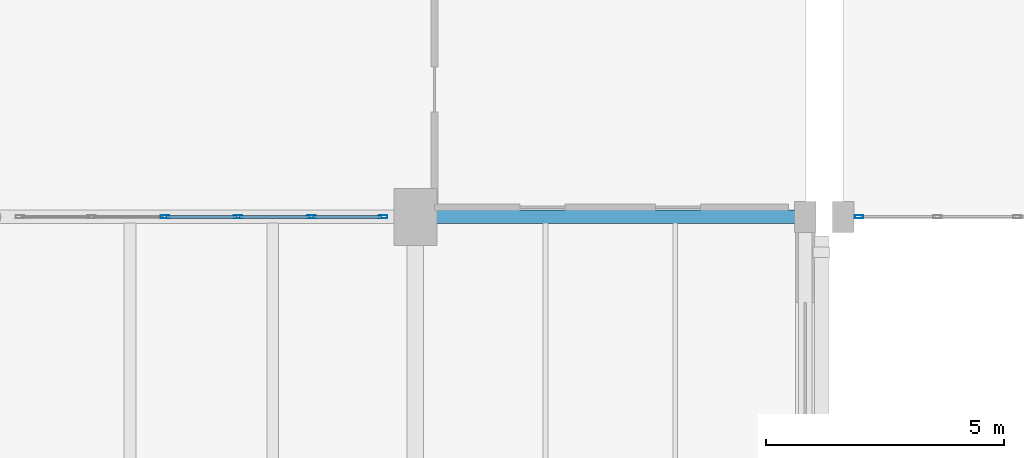
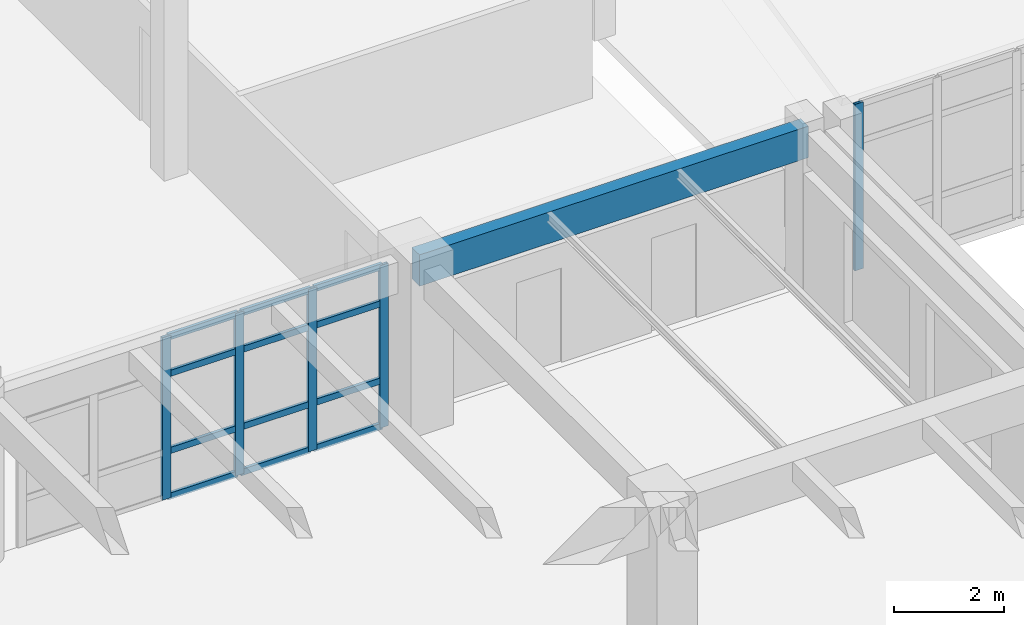
# One storey, part 67 of 156: 17 members, 1 beam, 2 elements without a shape of their own.
"""IFC4 building model written with IfcOpenShell, lengths in metres."""

from ifc_helpers import new_model, si_unit, direction, frame, origin, origin_2d, place, context, subcontext, project, spatial, rectangle, hollow_rectangle, extrude, material, layer, layer_set, material_profile, profile_set, type_object, element, aggregate, save


model = new_model("IFC4")

# Units and contexts
model_context = context("Model", 3, precision=1e-05, world=origin(), true_north=direction((0.0, 1.0)))
body_context = subcontext(model_context, "Body", "Model", "MODEL_VIEW")
ifc_project = project(units=[si_unit("LENGTHUNIT", "METRE"), si_unit("AREAUNIT", "SQUARE_METRE"), si_unit("VOLUMEUNIT", "CUBIC_METRE"), si_unit("PLANEANGLEUNIT", "RADIAN"), si_unit("MASSUNIT", "GRAM", prefix="KILO")], contexts=[model_context])

# Site, building, storey
site_placement = place(None, origin())
site = spatial("IfcSite", under=ifc_project, at=site_placement, CompositionType="ELEMENT")
building_placement = place(site_placement, origin())
building = spatial("IfcBuilding", under=site, at=building_placement, Name="Ornek Quay Market", CompositionType="ELEMENT")
storey_placement = place(building_placement, frame((0.0, 0.0, 4.5)))
storey = spatial("IfcBuildingStorey", under=building, at=storey_placement, Name="L01", CompositionType="ELEMENT", Elevation=4.5)

# Beam
ifc_material_1 = material(Name="Concrete C35/45", Category="concrete")
ifc_material_profile_1 = material_profile(ifc_material_1, rectangle(XDim=0.280029296875, YDim=0.699951171875, at=origin_2d()), Name="RC 280x700", Category="concrete")
ifc_profile_set_1 = profile_set([ifc_material_profile_1], Name="Concrete C35/45")
beam_type = type_object("IfcBeamType", Name="BM-SPN-280x700", PredefinedType="SPANDREL", material=ifc_profile_set_1)
beam_placement = place(storey_placement, frame((117.0, 92.0, 3.31005859375), z_axis=(1.0, 0.0, 0.0), x_axis=(0.0, 1.0, 0.0)))
element("IfcBeam", 1, at=beam_placement, inside=storey, type_object=beam_type, Name="Primary beam B-SP2-072", PredefinedType="SPANDREL", context=body_context, shape_type="SweptSolid", body=[
    extrude(rectangle(XDim=0.280029296875, YDim=0.699951171875, at=origin_2d()), origin(), (0.0, 0.0, 1.0), 8.199951171875),
])

# Curtain wall, member
ifc_material_2 = material(Name="Anodised bronze aluminium and triple low-e glass", Category="aluminium")
ifc_layer_1 = layer(ifc_material_2, 0.199951171875, Name="Anodised bronze aluminium and triple low-e glass", Category="aluminium")
ifc_layer_set_1 = layer_set([ifc_layer_1], Name="Anodised bronze aluminium and triple low-e glass")
curtain_wall_type_1 = type_object("IfcCurtainWallType", Name="CW-CONC-MOD1800", PredefinedType="USERDEFINED", material=ifc_layer_set_1)
curtain_wall_1_placement = place(storey_placement, origin())
curtain_wall_1 = element("IfcCurtainWall", 2, at=curtain_wall_1_placement, inside=storey, type_object=curtain_wall_type_1, Name="Curtain wall CW-034", ObjectType="CURTAIN WALL", PredefinedType="USERDEFINED")
ifc_material_3 = material(Name="Anodised aluminium 6063-T6", Category="aluminium")
ifc_material_profile_2 = material_profile(ifc_material_3, hollow_rectangle(XDim=0.06494140625, YDim=0.179931640625, WallThickness=0.00439453125, at=origin_2d()), Name="CW-MUL-65x180", Category="aluminium")
ifc_profile_set_2 = profile_set([ifc_material_profile_2], Name="Anodised aluminium 6063-T6")
member_type_1 = type_object("IfcMemberType", Name="CW-MUL-65x180", PredefinedType="MULLION", material=ifc_profile_set_2)
member_1_placement = place(storey_placement, frame((126.33251953125, 92.0, 0.0), z_axis=(0.0, 0.0, 1.0), x_axis=(0.0, 1.0, 0.0)))
member_1 = element("IfcMember", 3, at=member_1_placement, type_object=member_type_1, Name="CW-034 mullion 1", PredefinedType="MULLION", context=body_context, shape_type="SweptSolid", body=[
    extrude(hollow_rectangle(XDim=0.06494140625, YDim=0.179931640625, WallThickness=0.00439453125, at=origin_2d()), origin(), (0.0, 0.0, 1.0), 3.7099609375),
])
aggregate(curtain_wall_1, [member_1])

# Curtain wall, members
ifc_layer_2 = layer(ifc_material_2, 0.139892578125, Name="Anodised bronze aluminium and triple low-e glass", Category="aluminium")
ifc_layer_set_2 = layer_set([ifc_layer_2], Name="Anodised bronze aluminium and triple low-e glass")
curtain_wall_type_2 = type_object("IfcCurtainWallType", Name="CW-GALLERY-INT", PredefinedType="USERDEFINED", material=ifc_layer_set_2)
curtain_wall_2_placement = place(storey_placement, origin())
curtain_wall_2 = element("IfcCurtainWall", 4, at=curtain_wall_2_placement, inside=storey, type_object=curtain_wall_type_2, Name="Curtain wall CW-132", ObjectType="CURTAIN WALL", PredefinedType="USERDEFINED")
member_2_placement = place(storey_placement, frame((111.72998046875, 92.0, 0.0), z_axis=(0.0, 0.0, 1.0), x_axis=(0.0, 1.0, 0.0)))
member_2 = element("IfcMember", 5, at=member_2_placement, type_object=member_type_1, Name="CW-132 mullion 3", PredefinedType="MULLION", context=body_context, shape_type="SweptSolid", body=[
    extrude(hollow_rectangle(XDim=0.06494140625, YDim=0.179931640625, WallThickness=0.00439453125, at=origin_2d()), origin(), (0.0, 0.0, 1.0), 3.6201171875),
])
member_3_placement = place(storey_placement, frame((113.27001953125, 92.0, 0.0), z_axis=(0.0, 0.0, 1.0), x_axis=(0.0, 1.0, 0.0)))
member_3 = element("IfcMember", 6, at=member_3_placement, type_object=member_type_1, Name="CW-132 mullion 4", PredefinedType="MULLION", context=body_context, shape_type="SweptSolid", body=[
    extrude(hollow_rectangle(XDim=0.06494140625, YDim=0.179931640625, WallThickness=0.00439453125, at=origin_2d()), origin(), (0.0, 0.0, 1.0), 3.6201171875),
])
member_4_placement = place(storey_placement, frame((114.81005859375, 92.0, 0.0), z_axis=(0.0, 0.0, 1.0), x_axis=(0.0, 1.0, 0.0)))
member_4 = element("IfcMember", 7, at=member_4_placement, type_object=member_type_1, Name="CW-132 mullion 5", PredefinedType="MULLION", context=body_context, shape_type="SweptSolid", body=[
    extrude(hollow_rectangle(XDim=0.06494140625, YDim=0.179931640625, WallThickness=0.00439453125, at=origin_2d()), origin(), (0.0, 0.0, 1.0), 3.6201171875),
])
member_5_placement = place(storey_placement, frame((116.3173828125, 92.0, 0.0), z_axis=(0.0, 0.0, 1.0), x_axis=(0.0, 1.0, 0.0)))
member_5 = element("IfcMember", 8, at=member_5_placement, type_object=member_type_1, Name="CW-132 mullion 6", PredefinedType="MULLION", context=body_context, shape_type="SweptSolid", body=[
    extrude(hollow_rectangle(XDim=0.06494140625, YDim=0.179931640625, WallThickness=0.00439453125, at=origin_2d()), origin(), (0.0, 0.0, 1.0), 3.6201171875),
])
ifc_material_profile_3 = material_profile(ifc_material_3, hollow_rectangle(XDim=0.06494140625, YDim=0.139892578125, WallThickness=0.00439453125, at=origin_2d()), Name="CW-TRN-65x140", Category="aluminium")
ifc_profile_set_3 = profile_set([ifc_material_profile_3], Name="Anodised aluminium 6063-T6")
member_type_2 = type_object("IfcMemberType", Name="CW-TRN-65x140", PredefinedType="USERDEFINED", material=ifc_profile_set_3)
member_6_placement = place(storey_placement, frame((111.762451171875, 92.0, 0.032470703125), z_axis=(1.0, 0.0, 0.0), x_axis=(0.0, 1.0, 0.0)))
member_6 = element("IfcMember", 9, at=member_6_placement, type_object=member_type_2, Name="CW-132 transom 3.1", ObjectType="TRANSOM", PredefinedType="USERDEFINED", context=body_context, shape_type="SweptSolid", body=[
    extrude(hollow_rectangle(XDim=0.06494140625, YDim=0.139892578125, WallThickness=0.00439453125, at=origin_2d()), origin(), (0.0, 0.0, 1.0), 1.47509765625),
])
member_7_placement = place(storey_placement, frame((111.762451171875, 92.0, 1.050048828125), z_axis=(1.0, 0.0, 0.0), x_axis=(0.0, 1.0, 0.0)))
member_7 = element("IfcMember", 10, at=member_7_placement, type_object=member_type_2, Name="CW-132 transom 3.2", ObjectType="TRANSOM", PredefinedType="USERDEFINED", context=body_context, shape_type="SweptSolid", body=[
    extrude(hollow_rectangle(XDim=0.06494140625, YDim=0.139892578125, WallThickness=0.00439453125, at=origin_2d()), origin(), (0.0, 0.0, 1.0), 1.47509765625),
])
member_8_placement = place(storey_placement, frame((111.762451171875, 92.0, 2.77001953125), z_axis=(1.0, 0.0, 0.0), x_axis=(0.0, 1.0, 0.0)))
member_8 = element("IfcMember", 11, at=member_8_placement, type_object=member_type_2, Name="CW-132 transom 3.3", ObjectType="TRANSOM", PredefinedType="USERDEFINED", context=body_context, shape_type="SweptSolid", body=[
    extrude(hollow_rectangle(XDim=0.06494140625, YDim=0.139892578125, WallThickness=0.00439453125, at=origin_2d()), origin(), (0.0, 0.0, 1.0), 1.47509765625),
])
member_9_placement = place(storey_placement, frame((111.762451171875, 92.0, 3.58740234375), z_axis=(1.0, 0.0, 0.0), x_axis=(0.0, 1.0, 0.0)))
member_9 = element("IfcMember", 12, at=member_9_placement, type_object=member_type_2, Name="CW-132 transom 3.4", ObjectType="TRANSOM", PredefinedType="USERDEFINED", context=body_context, shape_type="SweptSolid", body=[
    extrude(hollow_rectangle(XDim=0.06494140625, YDim=0.139892578125, WallThickness=0.00439453125, at=origin_2d()), origin(), (0.0, 0.0, 1.0), 1.47509765625),
])
member_10_placement = place(storey_placement, frame((113.302490234375, 92.0, 0.032470703125), z_axis=(1.0, 0.0, 0.0), x_axis=(0.0, 1.0, 0.0)))
member_10 = element("IfcMember", 13, at=member_10_placement, type_object=member_type_2, Name="CW-132 transom 4.1", ObjectType="TRANSOM", PredefinedType="USERDEFINED", context=body_context, shape_type="SweptSolid", body=[
    extrude(hollow_rectangle(XDim=0.06494140625, YDim=0.139892578125, WallThickness=0.00439453125, at=origin_2d()), origin(), (0.0, 0.0, 1.0), 1.47509765625),
])
member_11_placement = place(storey_placement, frame((113.302490234375, 92.0, 1.050048828125), z_axis=(1.0, 0.0, 0.0), x_axis=(0.0, 1.0, 0.0)))
member_11 = element("IfcMember", 14, at=member_11_placement, type_object=member_type_2, Name="CW-132 transom 4.2", ObjectType="TRANSOM", PredefinedType="USERDEFINED", context=body_context, shape_type="SweptSolid", body=[
    extrude(hollow_rectangle(XDim=0.06494140625, YDim=0.139892578125, WallThickness=0.00439453125, at=origin_2d()), origin(), (0.0, 0.0, 1.0), 1.47509765625),
])
member_12_placement = place(storey_placement, frame((113.302490234375, 92.0, 2.77001953125), z_axis=(1.0, 0.0, 0.0), x_axis=(0.0, 1.0, 0.0)))
member_12 = element("IfcMember", 15, at=member_12_placement, type_object=member_type_2, Name="CW-132 transom 4.3", ObjectType="TRANSOM", PredefinedType="USERDEFINED", context=body_context, shape_type="SweptSolid", body=[
    extrude(hollow_rectangle(XDim=0.06494140625, YDim=0.139892578125, WallThickness=0.00439453125, at=origin_2d()), origin(), (0.0, 0.0, 1.0), 1.47509765625),
])
member_13_placement = place(storey_placement, frame((113.302490234375, 92.0, 3.58740234375), z_axis=(1.0, 0.0, 0.0), x_axis=(0.0, 1.0, 0.0)))
member_13 = element("IfcMember", 16, at=member_13_placement, type_object=member_type_2, Name="CW-132 transom 4.4", ObjectType="TRANSOM", PredefinedType="USERDEFINED", context=body_context, shape_type="SweptSolid", body=[
    extrude(hollow_rectangle(XDim=0.06494140625, YDim=0.139892578125, WallThickness=0.00439453125, at=origin_2d()), origin(), (0.0, 0.0, 1.0), 1.47509765625),
])
member_14_placement = place(storey_placement, frame((114.842529296875, 92.0, 0.032470703125), z_axis=(1.0, 0.0, 0.0), x_axis=(0.0, 1.0, 0.0)))
member_14 = element("IfcMember", 17, at=member_14_placement, type_object=member_type_2, Name="CW-132 transom 5.1", ObjectType="TRANSOM", PredefinedType="USERDEFINED", context=body_context, shape_type="SweptSolid", body=[
    extrude(hollow_rectangle(XDim=0.06494140625, YDim=0.139892578125, WallThickness=0.00439453125, at=origin_2d()), origin(), (0.0, 0.0, 1.0), 1.4423828125),
])
member_15_placement = place(storey_placement, frame((114.842529296875, 92.0, 1.050048828125), z_axis=(1.0, 0.0, 0.0), x_axis=(0.0, 1.0, 0.0)))
member_15 = element("IfcMember", 18, at=member_15_placement, type_object=member_type_2, Name="CW-132 transom 5.2", ObjectType="TRANSOM", PredefinedType="USERDEFINED", context=body_context, shape_type="SweptSolid", body=[
    extrude(hollow_rectangle(XDim=0.06494140625, YDim=0.139892578125, WallThickness=0.00439453125, at=origin_2d()), origin(), (0.0, 0.0, 1.0), 1.4423828125),
])
member_16_placement = place(storey_placement, frame((114.842529296875, 92.0, 2.77001953125), z_axis=(1.0, 0.0, 0.0), x_axis=(0.0, 1.0, 0.0)))
member_16 = element("IfcMember", 19, at=member_16_placement, type_object=member_type_2, Name="CW-132 transom 5.3", ObjectType="TRANSOM", PredefinedType="USERDEFINED", context=body_context, shape_type="SweptSolid", body=[
    extrude(hollow_rectangle(XDim=0.06494140625, YDim=0.139892578125, WallThickness=0.00439453125, at=origin_2d()), origin(), (0.0, 0.0, 1.0), 1.4423828125),
])
member_17_placement = place(storey_placement, frame((114.842529296875, 92.0, 3.58740234375), z_axis=(1.0, 0.0, 0.0), x_axis=(0.0, 1.0, 0.0)))
member_17 = element("IfcMember", 20, at=member_17_placement, type_object=member_type_2, Name="CW-132 transom 5.4", ObjectType="TRANSOM", PredefinedType="USERDEFINED", context=body_context, shape_type="SweptSolid", body=[
    extrude(hollow_rectangle(XDim=0.06494140625, YDim=0.139892578125, WallThickness=0.00439453125, at=origin_2d()), origin(), (0.0, 0.0, 1.0), 1.4423828125),
])
aggregate(curtain_wall_2, [member_2, member_3, member_4, member_5, member_6, member_7, member_8, member_9, member_10, member_11, member_12, member_13, member_14, member_15, member_16, member_17])

save(model, "model.ifc")
